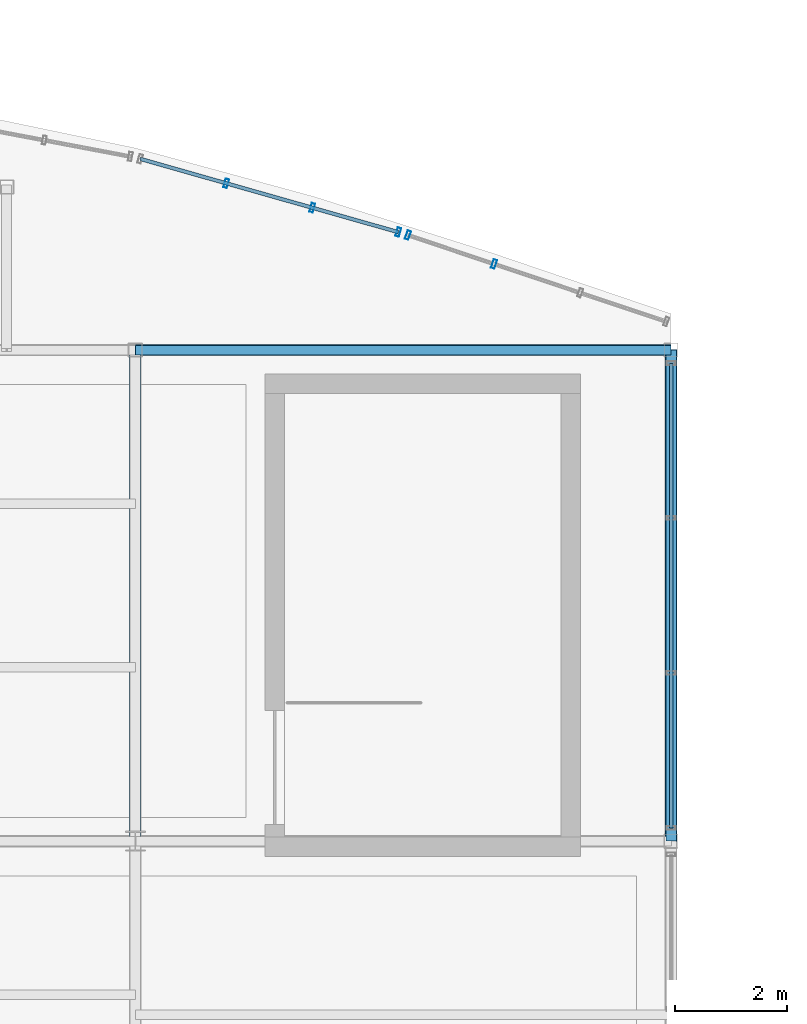
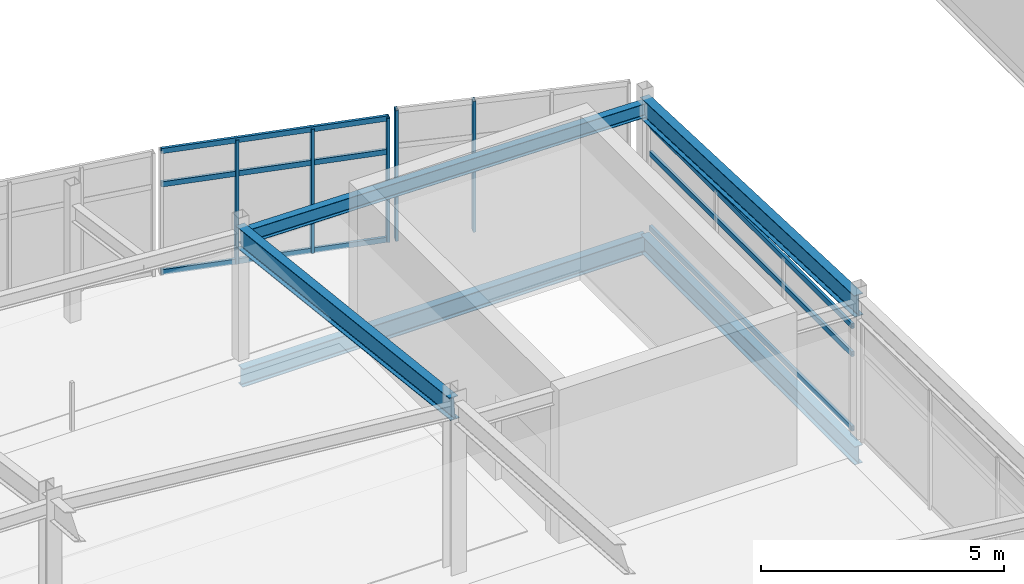
# One storey, part 35 of 114: 12 members, 4 beams, 3 elements without a shape of their own.
"""IFC4 building model written with IfcOpenShell, lengths in metres."""

from ifc_helpers import new_model, si_unit, direction, frame, origin, origin_2d, place, context, subcontext, project, spatial, hollow_rectangle, i_section, extrude, material, layer, layer_set, material_profile, profile_set, type_object, element, aggregate, save


model = new_model("IFC4")

# Units and contexts
model_context = context("Model", 3, precision=1e-05, world=origin(), true_north=direction((0.0, 1.0)))
body_context = subcontext(model_context, "Body", "Model", "MODEL_VIEW")
ifc_project = project(units=[si_unit("LENGTHUNIT", "METRE"), si_unit("AREAUNIT", "SQUARE_METRE"), si_unit("VOLUMEUNIT", "CUBIC_METRE"), si_unit("PLANEANGLEUNIT", "RADIAN"), si_unit("MASSUNIT", "GRAM", prefix="KILO")], contexts=[model_context])

# Site, building, storey
site_placement = place(None, origin())
site = spatial("IfcSite", under=ifc_project, at=site_placement, CompositionType="ELEMENT")
building_placement = place(site_placement, origin())
building = spatial("IfcBuilding", under=site, at=building_placement, Name="Chalmorin Arch Market", CompositionType="ELEMENT")
storey_placement = place(building_placement, frame((0.0, 0.0, 9.60009765625)))
storey = spatial("IfcBuildingStorey", under=building, at=storey_placement, Name="L02", CompositionType="ELEMENT", Elevation=9.60009765625)

# Curtain wall, members
ifc_material_1 = material(Name="Aluminium 6063-T6", Category="aluminium")
ifc_layer_1 = layer(ifc_material_1, 0.159912109375)
ifc_layer_set_1 = layer_set([ifc_layer_1], Name="Aluminium 6063-T6")
curtain_wall_type_1 = type_object("IfcCurtainWallType", Name="RiverfrontStorefrontCurtainWall-CW2-4810x3110", PredefinedType="NOTDEFINED", material=ifc_layer_set_1)
curtain_wall_1_placement = place(storey_placement, origin())
curtain_wall_1 = element("IfcCurtainWall", 1, at=curtain_wall_1_placement, inside=storey, type_object=curtain_wall_type_1, Name="CW-02-089", PredefinedType="NOTDEFINED")
ifc_material_profile_1 = material_profile(ifc_material_1, hollow_rectangle(XDim=0.06494140625, YDim=0.159912109375, WallThickness=0.00390625, at=origin_2d()), Name="ALU65X160X4")
ifc_profile_set_1 = profile_set([ifc_material_profile_1], Name="Aluminium 6063-T6")
member_type_1 = type_object("IfcMemberType", Name="CurtainWallMullion-65x160", PredefinedType="MULLION", material=ifc_profile_set_1)
member_1_placement = place(storey_placement, frame((30.428955078125, 52.987548828125, 0.0), z_axis=(0.0, 0.0, 1.0), x_axis=(0.961261695938, -0.275637355817, 0.0)))
member_1 = element("IfcMember", 2, at=member_1_placement, type_object=member_type_1, Name="ML-089-02", PredefinedType="MULLION", context=body_context, shape_type="SweptSolid", body=[
    extrude(hollow_rectangle(XDim=0.06494140625, YDim=0.159912109375, WallThickness=0.00390625, at=origin_2d()), origin(), (0.0, 0.0, 1.0), 3.114013671875),
])
member_2_placement = place(storey_placement, frame((31.97119140625, 52.549560546875, 0.0), z_axis=(0.0, 0.0, 1.0), x_axis=(0.961261695938, -0.275637355817, 0.0)))
member_2 = element("IfcMember", 3, at=member_2_placement, type_object=member_type_1, Name="ML-089-03", PredefinedType="MULLION", context=body_context, shape_type="SweptSolid", body=[
    extrude(hollow_rectangle(XDim=0.06494140625, YDim=0.159912109375, WallThickness=0.00390625, at=origin_2d()), origin(), (0.0, 0.0, 1.0), 3.114013671875),
])
member_3_placement = place(storey_placement, frame((33.513427734375, 52.111572265625, 0.0), z_axis=(0.0, 0.0, 1.0), x_axis=(0.961261695938, -0.275637355817, 0.0)))
member_3 = element("IfcMember", 4, at=member_3_placement, type_object=member_type_1, Name="ML-089-04", PredefinedType="MULLION", context=body_context, shape_type="SweptSolid", body=[
    extrude(hollow_rectangle(XDim=0.06494140625, YDim=0.159912109375, WallThickness=0.00390625, at=origin_2d()), origin(), (0.0, 0.0, 1.0), 3.114013671875),
])

ifc_layer_2 = layer(ifc_material_1, 0.159912109375)
ifc_layer_set_2 = layer_set([ifc_layer_2], Name="Aluminium 6063-T6")
curtain_wall_type_2 = type_object("IfcCurtainWallType", Name="RiverfrontStorefrontCurtainWall-CW2-4880x3280", PredefinedType="NOTDEFINED", material=ifc_layer_set_2)
curtain_wall_2_placement = place(storey_placement, origin())
curtain_wall_2 = element("IfcCurtainWall", 5, at=curtain_wall_2_placement, inside=storey, type_object=curtain_wall_type_2, Name="CW-02-092", PredefinedType="NOTDEFINED")
member_4_placement = place(storey_placement, frame((33.685302734375, 52.058349609375, 0.0), z_axis=(0.0, 0.0, 1.0), x_axis=(0.945518575599, -0.325568154457, 0.0)))
member_4 = element("IfcMember", 6, at=member_4_placement, type_object=member_type_1, Name="ML-092-01", PredefinedType="MULLION", context=body_context, shape_type="SweptSolid", body=[
    extrude(hollow_rectangle(XDim=0.06494140625, YDim=0.159912109375, WallThickness=0.00390625, at=origin_2d()), origin(), (0.0, 0.0, 1.0), 3.27978515625),
])
member_5_placement = place(storey_placement, frame((35.228515625, 51.541748046875, 0.0), z_axis=(0.0, 0.0, 1.0), x_axis=(0.945518575599, -0.325568154457, 0.0)))
member_5 = element("IfcMember", 7, at=member_5_placement, type_object=member_type_1, Name="ML-092-02", PredefinedType="MULLION", context=body_context, shape_type="SweptSolid", body=[
    extrude(hollow_rectangle(XDim=0.06494140625, YDim=0.159912109375, WallThickness=0.00390625, at=origin_2d()), origin(), (0.0, 0.0, 1.0), 3.27978515625),
])
aggregate(curtain_wall_2, [member_4, member_5])

# Member
ifc_material_profile_2 = material_profile(ifc_material_1, hollow_rectangle(XDim=0.06494140625, YDim=0.1298828125, WallThickness=0.00390625, at=origin_2d()), Name="ALU65X130X4")
ifc_profile_set_2 = profile_set([ifc_material_profile_2], Name="Aluminium 6063-T6")
member_type_2 = type_object("IfcMemberType", Name="CurtainWallTransom-65x130", PredefinedType="USERDEFINED", material=ifc_profile_set_2)
member_6_placement = place(storey_placement, frame((28.88671875, 53.42529296875, 0.034912109375), z_axis=(0.96197280209, -0.273145250807, 0.0), x_axis=(0.273145250807, 0.96197280209, 0.0)))
member_6 = element("IfcMember", 8, at=member_6_placement, type_object=member_type_2, Name="TR-089-01", ObjectType="TRANSOM", PredefinedType="USERDEFINED", context=body_context, shape_type="SweptSolid", body=[
    extrude(hollow_rectangle(XDim=0.06494140625, YDim=0.1298828125, WallThickness=0.00390625, at=origin_2d()), origin(), (0.0, 0.0, 1.0), 4.8095703125),
])

member_7_placement = place(storey_placement, frame((28.88671875, 53.42529296875, 2.241943359375), z_axis=(0.96197280209, -0.273145250807, 0.0), x_axis=(0.273145250807, 0.96197280209, 0.0)))
member_7 = element("IfcMember", 9, at=member_7_placement, type_object=member_type_2, Name="TR-089-02", ObjectType="TRANSOM", PredefinedType="USERDEFINED", context=body_context, shape_type="SweptSolid", body=[
    extrude(hollow_rectangle(XDim=0.06494140625, YDim=0.1298828125, WallThickness=0.00390625, at=origin_2d()), origin(), (0.0, 0.0, 1.0), 4.8095703125),
])

member_8_placement = place(storey_placement, frame((28.88671875, 53.42529296875, 3.078857421875), z_axis=(0.96197280209, -0.273145250807, 0.0), x_axis=(0.273145250807, 0.96197280209, 0.0)))
member_8 = element("IfcMember", 10, at=member_8_placement, type_object=member_type_2, Name="TR-089-03", ObjectType="TRANSOM", PredefinedType="USERDEFINED", context=body_context, shape_type="SweptSolid", body=[
    extrude(hollow_rectangle(XDim=0.06494140625, YDim=0.1298828125, WallThickness=0.00390625, at=origin_2d()), origin(), (0.0, 0.0, 1.0), 4.8095703125),
])

aggregate(curtain_wall_1, [member_1, member_2, member_3, member_6, member_7, member_8])

# Curtain wall, members
ifc_layer_3 = layer(ifc_material_1, 0.159912109375)
ifc_layer_set_3 = layer_set([ifc_layer_3], Name="Aluminium 6063-T6")
curtain_wall_type_3 = type_object("IfcCurtainWallType", Name="RiverfrontStorefrontCurtainWall-CW2-8330x2650", PredefinedType="NOTDEFINED", material=ifc_layer_set_3)
curtain_wall_3_placement = place(storey_placement, origin())
curtain_wall_3 = element("IfcCurtainWall", 11, at=curtain_wall_3_placement, inside=storey, type_object=curtain_wall_type_3, Name="CW-02-106", PredefinedType="NOTDEFINED")
member_9_placement = place(storey_placement, frame((38.39990234375, 41.43701171875, 0.034912109375), z_axis=(0.0, 1.0, 0.0), x_axis=(-1.0, 0.0, 0.0)))
member_9 = element("IfcMember", 12, at=member_9_placement, type_object=member_type_2, Name="TR-106-01", ObjectType="TRANSOM", PredefinedType="USERDEFINED", context=body_context, shape_type="SweptSolid", body=[
    extrude(hollow_rectangle(XDim=0.06494140625, YDim=0.1298828125, WallThickness=0.00390625, at=origin_2d()), origin(), (0.0, 0.0, 1.0), 8.325927734375),
])
member_10_placement = place(storey_placement, frame((38.39990234375, 41.43701171875, 1.90478515625), z_axis=(0.0, 1.0, 0.0), x_axis=(-1.0, 0.0, 0.0)))
member_10 = element("IfcMember", 13, at=member_10_placement, type_object=member_type_2, Name="TR-106-02", ObjectType="TRANSOM", PredefinedType="USERDEFINED", context=body_context, shape_type="SweptSolid", body=[
    extrude(hollow_rectangle(XDim=0.06494140625, YDim=0.1298828125, WallThickness=0.00390625, at=origin_2d()), origin(), (0.0, 0.0, 1.0), 8.325927734375),
])
member_11_placement = place(storey_placement, frame((38.39990234375, 41.43701171875, 2.6103515625), z_axis=(0.0, 1.0, 0.0), x_axis=(-1.0, 0.0, 0.0)))
member_11 = element("IfcMember", 14, at=member_11_placement, type_object=member_type_2, Name="TR-106-03", ObjectType="TRANSOM", PredefinedType="USERDEFINED", context=body_context, shape_type="SweptSolid", body=[
    extrude(hollow_rectangle(XDim=0.06494140625, YDim=0.1298828125, WallThickness=0.00390625, at=origin_2d()), origin(), (0.0, 0.0, 1.0), 8.325927734375),
])
aggregate(curtain_wall_3, [member_9, member_10, member_11])

# Beams
ifc_material_2 = material(Name="Steel A992 Grade 50", Category="steel")
ifc_material_profile_3 = material_profile(ifc_material_2, i_section(OverallWidth=0.19091796875, OverallDepth=0.45703125, WebThickness=0.009033203125, FlangeThickness=0.014404296875, FilletRadius=0.02001953125, at=origin_2d()), Name="W18X50")
ifc_profile_set_3 = profile_set([ifc_material_profile_3], Name="Steel A992 Grade 50")
beam_type_1 = type_object("IfcBeamType", Name="PerimeterSpandrelBeam-W18X50", PredefinedType="SPANDREL", material=ifc_profile_set_3)
beam_1_placement = place(storey_placement, frame((28.800048828125, 50.0, -0.480712890625), z_axis=(1.0, 0.0, 0.0), x_axis=(0.0, 1.0, 0.0)))
element("IfcBeam", 15, at=beam_1_placement, inside=storey, type_object=beam_type_1, Name="SP-W18-1181", PredefinedType="SPANDREL", context=body_context, shape_type="SweptSolid", body=[
    extrude(i_section(OverallWidth=0.19091796875, OverallDepth=0.45703125, WebThickness=0.009033203125, FlangeThickness=0.014404296875, FilletRadius=0.02001953125, at=origin_2d()), origin(), (0.0, 0.0, 1.0), 9.599853515625),
])
beam_2_placement = place(storey_placement, frame((38.39990234375, 41.199951171875, -0.480712890625), z_axis=(0.0, 1.0, 0.0), x_axis=(-1.0, 0.0, 0.0)))
element("IfcBeam", 16, at=beam_2_placement, inside=storey, type_object=beam_type_1, Name="SP-W18-1182", PredefinedType="SPANDREL", context=body_context, shape_type="SweptSolid", body=[
    extrude(i_section(OverallWidth=0.19091796875, OverallDepth=0.45703125, WebThickness=0.009033203125, FlangeThickness=0.014404296875, FilletRadius=0.02001953125, at=origin_2d()), origin(), (0.0, 0.0, 1.0), 8.800048828125),
])
ifc_material_profile_4 = material_profile(ifc_material_2, i_section(OverallWidth=0.208984375, OverallDepth=0.532958984375, WebThickness=0.01025390625, FlangeThickness=0.015625, FilletRadius=0.02197265625, at=origin_2d()), Name="W21X62")
ifc_profile_set_4 = profile_set([ifc_material_profile_4], Name="Steel A992 Grade 50")
beam_type_2 = type_object("IfcBeamType", Name="PrimarySteelGirder-W21X62", PredefinedType="BEAM", material=ifc_profile_set_4)
beam_3_placement = place(storey_placement, frame((28.800048828125, 41.199951171875, 4.052001953125), z_axis=(0.0, 0.993605325074, -0.112909069538), x_axis=(-1.0, 0.0, 0.0)))
element("IfcBeam", 17, at=beam_3_placement, inside=storey, type_object=beam_type_2, Name="BG-W21B-1540", PredefinedType="BEAM", context=body_context, shape_type="SweptSolid", body=[
    extrude(i_section(OverallWidth=0.208984375, OverallDepth=0.532958984375, WebThickness=0.01025390625, FlangeThickness=0.015625, FilletRadius=0.02197265625, at=origin_2d()), origin(), (0.0, 0.0, 1.0), 8.856689453125),
])
beam_4_placement = place(storey_placement, frame((38.39990234375, 41.199951171875, 3.27490234375), z_axis=(0.0, 0.999219449586, -0.039503057724), x_axis=(-1.0, 0.0, 0.0)))
element("IfcBeam", 18, at=beam_4_placement, inside=storey, type_object=beam_type_2, Name="BG-W21B-1544", PredefinedType="BEAM", context=body_context, shape_type="SweptSolid", body=[
    extrude(i_section(OverallWidth=0.208984375, OverallDepth=0.532958984375, WebThickness=0.01025390625, FlangeThickness=0.015625, FilletRadius=0.02197265625, at=origin_2d()), origin(), (0.0, 0.0, 1.0), 8.806884765625),
])

# Member
ifc_material_profile_5 = material_profile(ifc_material_2, i_section(OverallWidth=0.1708984375, OverallDepth=0.35107421875, WebThickness=0.0068359375, FlangeThickness=0.009765625, FilletRadius=0.014892578125, at=origin_2d()), Name="W14X30")
ifc_profile_set_5 = profile_set([ifc_material_profile_5], Name="Steel A992 Grade 50")
member_type_3 = type_object("IfcMemberType", Name="RoofSteelPurlin-W14X30", PredefinedType="PURLIN", material=ifc_profile_set_5)
member_12_placement = place(storey_placement, frame((28.800048828125, 50.0, 3.011962890625), z_axis=(0.999915237141, 0.0, -0.013019928319), x_axis=(0.0, 1.0, 0.0)))
element("IfcMember", 19, at=member_12_placement, inside=storey, type_object=member_type_3, Name="PR-W14-0035", PredefinedType="PURLIN", context=body_context, shape_type="SweptSolid", body=[
    extrude(i_section(OverallWidth=0.1708984375, OverallDepth=0.35107421875, WebThickness=0.0068359375, FlangeThickness=0.009765625, FilletRadius=0.014892578125, at=origin_2d()), origin(), (0.0, 0.0, 1.0), 9.6005859375),
])

save(model, "model.ifc")
